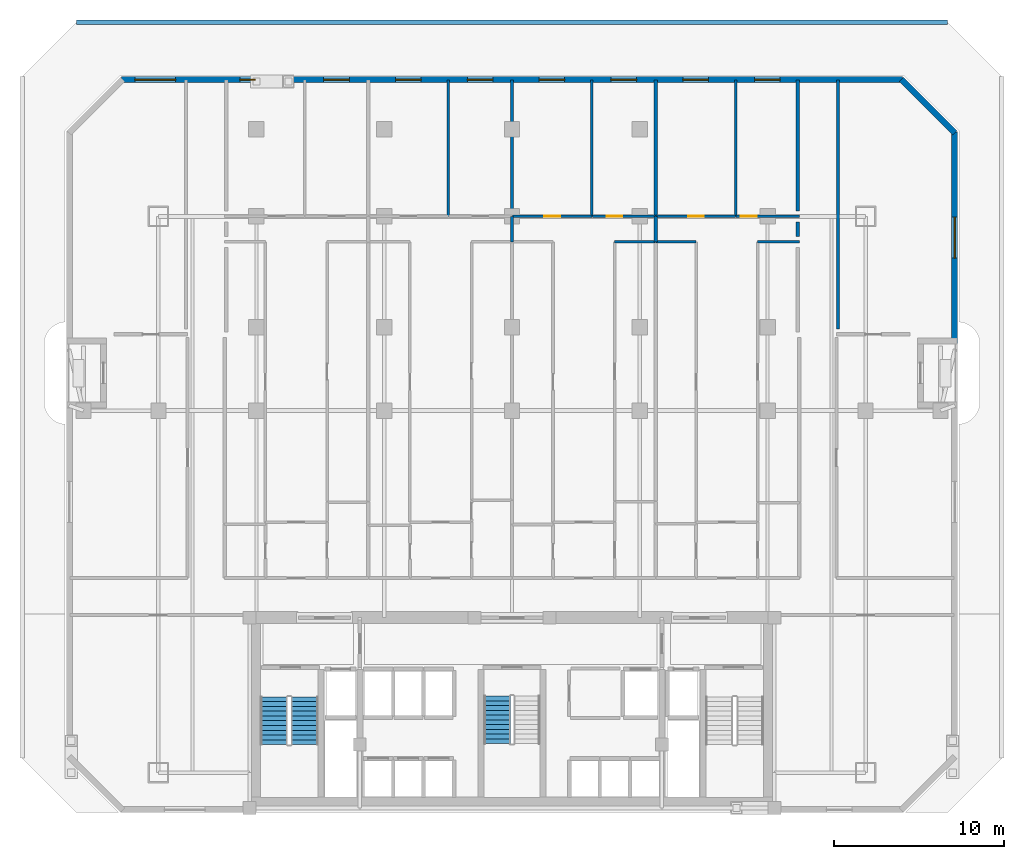
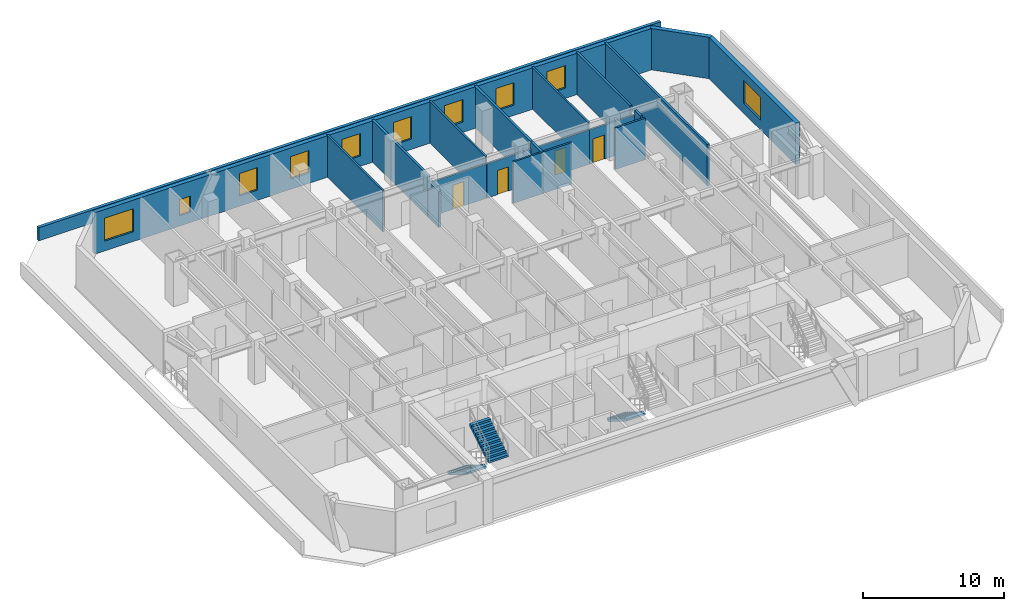
# One storey, part 7 of 10: 21 walls, 10 windows, 4 doors, 3 stair flights, 14 openings, 2 elements without a shape of their own.
"""IFC4 building model written with IfcOpenShell, lengths in metres."""

from ifc_helpers import new_model, si_unit, direction, frame, frame_2d, origin, place, context, subcontext, project, spatial, polyline, rectangle, outline, extrude, material, layer, layer_set, type_object, element, fill, aggregate, save


model = new_model("IFC4")

# Units and contexts
model_context = context("Model", 3, precision=1e-05, world=origin(), true_north=direction((0.0, 1.0)))
body_context = subcontext(model_context, "Body", "Model", "MODEL_VIEW")
ifc_project = project(units=[si_unit("LENGTHUNIT", "METRE"), si_unit("AREAUNIT", "SQUARE_METRE"), si_unit("VOLUMEUNIT", "CUBIC_METRE"), si_unit("PLANEANGLEUNIT", "RADIAN"), si_unit("MASSUNIT", "GRAM", prefix="KILO")], contexts=[model_context])

# Site, building, storey
site_placement = place(None, origin())
site = spatial("IfcSite", under=ifc_project, at=site_placement, CompositionType="ELEMENT")
building_placement = place(site_placement, origin())
building = spatial("IfcBuilding", under=site, at=building_placement, Name="Ventersveld Concourse Tower", CompositionType="ELEMENT")
storey_placement = place(building_placement, frame((0.0, 0.0, 92.60009765625)))
storey = spatial("IfcBuildingStorey", under=building, at=storey_placement, Name="L22", CompositionType="ELEMENT", Elevation=92.60009765625)

# Walls
ifc_material_1 = material(Name="Fire-rated autoclaved aerated masonry blockwork", Category="masonry")
ifc_layer_1 = layer(ifc_material_1, 0.179931640625)
ifc_layer_set_1 = layer_set([ifc_layer_1], Name="Fire-rated autoclaved aerated masonry blockwork")
wall_type_1 = type_object("IfcWallType", Name="WL-CORR-180", PredefinedType="PARTITIONING", material=ifc_layer_set_1)
wall_1_placement = place(storey_placement, frame((47.8798828125, 28.39501953125, 0.0), z_axis=(0.0, 0.0, 1.0), x_axis=(0.0, 1.0, 0.0)))
element("IfcWall", 1, at=wall_1_placement, inside=storey, type_object=wall_type_1, Name="L22 Room Enclosure Wall SP-L22-NELNG2", PredefinedType="PARTITIONING", context=body_context, shape_type="SweptSolid", body=[
    extrude(rectangle(XDim=14.594970703125, YDim=0.179931640625, at=frame_2d((7.29736328125, 0.0))), origin(), (0.0, 0.0, 1.0), 3.599853515625),
])
wall_2_placement = place(storey_placement, frame((45.52001953125, 34.675048828125, 0.0), z_axis=(0.0, 0.0, 1.0), x_axis=(0.0, -1.0, 0.0)))
element("IfcWall", 2, at=wall_2_placement, inside=storey, type_object=wall_type_1, Name="L22 Room Enclosure Wall SP-L22-22N4-LIV", PredefinedType="PARTITIONING", context=body_context, shape_type="SweptSolid", body=[
    extrude(rectangle(XDim=0.85009765625, YDim=0.179931640625, at=frame_2d((0.425048828125, 0.0))), origin(), (0.0, 0.0, 1.0), 3.599853515625),
])
wall_3_placement = place(storey_placement, frame((45.52001953125, 42.989990234375, 0.0), z_axis=(0.0, 0.0, 1.0), x_axis=(0.0, -1.0, 0.0)))
element("IfcWall", 3, at=wall_3_placement, inside=storey, type_object=wall_type_1, Name="L22 Room Enclosure Wall SP-L22-22N4-BR2", PredefinedType="PARTITIONING", context=body_context, shape_type="SweptSolid", body=[
    extrude(rectangle(XDim=7.6650390625, YDim=0.179931640625, at=frame_2d((3.83251953125, 0.0))), origin(), (0.0, 0.0, 1.0), 3.599853515625),
])
ifc_layer_2 = layer(ifc_material_1, 0.199951171875)
ifc_layer_set_2 = layer_set([ifc_layer_2], Name="Fire-rated autoclaved aerated masonry blockwork")
wall_type_2 = type_object("IfcWallType", Name="WL-DEMISE-200", PredefinedType="PARTITIONING", material=ifc_layer_set_2)
wall_4_placement = place(storey_placement, frame((28.75, 33.4951171875, 0.0), z_axis=(0.0, 0.0, 1.0), x_axis=(0.0, 1.0, 0.0)))
element("IfcWall", 4, at=wall_4_placement, inside=storey, type_object=wall_type_2, Name="L22 Interior Partition SP-L22-22N2-LIV-SP-L22-22N3-LIV", PredefinedType="PARTITIONING", context=body_context, shape_type="SweptSolid", body=[
    extrude(rectangle(XDim=1.509765625, YDim=0.199951171875, at=frame_2d((0.7548828125, 0.0))), origin(), (0.0, 0.0, 1.0), 3.146484375),
])
wall_5_placement = place(storey_placement, frame((28.75, 35.034912109375, 0.0), z_axis=(0.0, 0.0, 1.0), x_axis=(0.0, 1.0, 0.0)))
element("IfcWall", 5, at=wall_5_placement, inside=storey, type_object=wall_type_2, Name="L22 Interior Partition SP-L22-22N2-BR2-SP-L22-22N3-BR1", PredefinedType="PARTITIONING", context=body_context, shape_type="SweptSolid", body=[
    extrude(rectangle(XDim=7.955078125, YDim=0.199951171875, at=frame_2d((3.9775390625, 0.0))), origin(), (0.0, 0.0, 1.0), 3.599853515625),
])
wall_6_placement = place(storey_placement, frame((37.179931640625, 33.4951171875, 0.0), z_axis=(0.0, 0.0, 1.0), x_axis=(0.0, 1.0, 0.0)))
element("IfcWall", 6, at=wall_6_placement, inside=storey, type_object=wall_type_2, Name="L22 Interior Partition SP-L22-22N3-LIV-SP-L22-22N4-LIV", PredefinedType="PARTITIONING", context=body_context, shape_type="SweptSolid", body=[
    extrude(rectangle(XDim=1.509765625, YDim=0.199951171875, at=frame_2d((0.7548828125, 0.0))), origin(), (0.0, 0.0, 1.0), 3.599853515625),
])
wall_7_placement = place(storey_placement, frame((37.179931640625, 35.034912109375, 0.0), z_axis=(0.0, 0.0, 1.0), x_axis=(0.0, 1.0, 0.0)))
element("IfcWall", 7, at=wall_7_placement, inside=storey, type_object=wall_type_2, Name="L22 Interior Partition SP-L22-22N3-BR2-SP-L22-22N4-BR1", PredefinedType="PARTITIONING", context=body_context, shape_type="SweptSolid", body=[
    extrude(rectangle(XDim=7.955078125, YDim=0.199951171875, at=frame_2d((3.9775390625, 0.0))), origin(), (0.0, 0.0, 1.0), 3.599853515625),
])
ifc_material_2 = material(Name="Autoclaved aerated masonry blockwork", Category="masonry")
ifc_layer_3 = layer(ifc_material_2, 0.14990234375)
ifc_layer_set_3 = layer_set([ifc_layer_3], Name="Autoclaved aerated masonry blockwork")
wall_type_3 = type_object("IfcWallType", Name="WL-INT-150", PredefinedType="PARTITIONING", material=ifc_layer_set_3)
wall_8_placement = place(storey_placement, frame((25.009765625, 34.9951171875, 0.0), z_axis=(0.0, 0.0, 1.0), x_axis=(0.0, 1.0, 0.0)))
element("IfcWall", 8, at=wall_8_placement, inside=storey, type_object=wall_type_3, Name="L22 Interior Partition SP-L22-22N2-BR1-SP-L22-22N2-BR2", PredefinedType="PARTITIONING", context=body_context, shape_type="SweptSolid", body=[
    extrude(rectangle(XDim=7.994873046875, YDim=0.14990234375, at=frame_2d((3.99755859375, 0.0))), origin(), (0.0, 0.0, 1.0), 3.599853515625),
])
wall_9_placement = place(storey_placement, frame((34.767578125, 33.5, 0.0), z_axis=(0.0, 0.0, 1.0), x_axis=(1.0, 0.0, 0.0)))
element("IfcWall", 9, at=wall_9_placement, inside=storey, type_object=wall_type_3, Name="L22 Interior Partition SP-L22-22N3-LIV-SP-L22-22N3-DENR", PredefinedType="PARTITIONING", context=body_context, shape_type="SweptSolid", body=[
    extrude(rectangle(XDim=2.41748046875, YDim=0.14990234375, at=frame_2d((1.208740234375, 0.0))), origin(), (0.0, 0.0, 1.0), 3.599853515625),
])

# Wall, opening, door
wall_10_placement = place(storey_placement, frame((28.784912109375, 35.0, 0.0), z_axis=(0.0, 0.0, 1.0), x_axis=(1.0, 0.0, 0.0)))
wall_10 = element("IfcWall", 10, at=wall_10_placement, inside=storey, type_object=wall_type_3, Name="L22 Interior Partition SP-L22-22N3-LIV-SP-L22-22N3-BR1", PredefinedType="PARTITIONING", context=body_context, shape_type="SweptSolid", body=[
    extrude(rectangle(XDim=4.65966796875, YDim=0.14990234375, at=frame_2d((2.329833984375, 0.0))), origin(), (0.0, 0.0, 1.0), 2.982666015625),
])
opening_1_placement = place(wall_10_placement, frame((1.869873046875, 0.0, 0.0)))
opening_1 = element("IfcOpeningElement", 11, at=opening_1_placement, cuts=wall_10, Name="Opening ID1", PredefinedType="OPENING", context=body_context, shape_type="SweptSolid", body=[
    extrude(rectangle(XDim=0.919921875, YDim=2.10009765625, at=frame_2d((0.4599609375, 1.050048828125))), frame((0.0, 0.0849609375, 0.0), z_axis=(0.0, -1.0, 0.0), x_axis=(1.0, 0.0, 0.0)), (0.0, 0.0, 1.0), 0.169921875),
])
ifc_material_3 = material(Name="Solid-core hardwood veneer timber", Category="wood")
door_type = type_object("IfcDoorType", Name="DR-ROOM-092", OperationType="NOTDEFINED", PredefinedType="DOOR", material=ifc_material_3)
door_1_placement = place(opening_1_placement, origin())
door_1 = element("IfcDoor", 12, at=door_1_placement, inside=storey, type_object=door_type, Name="L22 Interior Door SP-L22-22N3-LIV to SP-L22-22N3-BR1 (D-L22-1098)", OperationType="SINGLE_SWING_RIGHT", OverallHeight=2.10009765625, OverallWidth=0.919921875, PredefinedType="DOOR", context=body_context, shape_type="SweptSolid", body=[
    extrude(rectangle(XDim=0.919921875, YDim=2.10009765625, at=frame_2d((0.4599609375, 1.050048828125))), frame((0.0, 0.02490234375, 0.0), z_axis=(0.0, -1.0, 0.0), x_axis=(1.0, 0.0, 0.0)), (0.0, 0.0, 1.0), 0.050048828125),
])
fill(opening_1, door_1)

wall_11_placement = place(storey_placement, frame((33.474609375, 35.0, 0.0), z_axis=(0.0, 0.0, 1.0), x_axis=(1.0, 0.0, 0.0)))
wall_11 = element("IfcWall", 13, at=wall_11_placement, inside=storey, type_object=wall_type_3, Name="L22 Interior Partition SP-L22-22N3-LIV-SP-L22-22N3-BR2", PredefinedType="PARTITIONING", context=body_context, shape_type="SweptSolid", body=[
    extrude(rectangle(XDim=3.71044921875, YDim=0.14990234375, at=frame_2d((1.855224609375, 0.0))), origin(), (0.0, 0.0, 1.0), 2.982666015625),
])
opening_2_placement = place(wall_11_placement, frame((0.838623046875, 0.0, 0.0)))
opening_2 = element("IfcOpeningElement", 14, at=opening_2_placement, cuts=wall_11, Name="Opening ID1", PredefinedType="OPENING", context=body_context, shape_type="SweptSolid", body=[
    extrude(rectangle(XDim=0.919921875, YDim=2.10009765625, at=frame_2d((0.4599609375, 1.050048828125))), frame((0.0, 0.0849609375, 0.0), z_axis=(0.0, -1.0, 0.0), x_axis=(1.0, 0.0, 0.0)), (0.0, 0.0, 1.0), 0.169921875),
])
door_2_placement = place(opening_2_placement, origin())
door_2 = element("IfcDoor", 15, at=door_2_placement, inside=storey, type_object=door_type, Name="L22 Interior Door SP-L22-22N3-LIV to SP-L22-22N3-BR2 (D-L22-1099)", OperationType="SINGLE_SWING_LEFT", OverallHeight=2.10009765625, OverallWidth=0.919921875, PredefinedType="DOOR", context=body_context, shape_type="SweptSolid", body=[
    extrude(rectangle(XDim=0.919921875, YDim=2.10009765625, at=frame_2d((0.4599609375, 1.050048828125))), frame((0.0, 0.02490234375, 0.0), z_axis=(0.0, -1.0, 0.0), x_axis=(1.0, 0.0, 0.0)), (0.0, 0.0, 1.0), 0.050048828125),
])
fill(opening_2, door_2)

# Walls
wall_12_placement = place(storey_placement, frame((33.439697265625, 34.9951171875, 0.0), z_axis=(0.0, 0.0, 1.0), x_axis=(0.0, 1.0, 0.0)))
element("IfcWall", 16, at=wall_12_placement, inside=storey, type_object=wall_type_3, Name="L22 Interior Partition SP-L22-22N3-BR1-SP-L22-22N3-BR2", PredefinedType="PARTITIONING", context=body_context, shape_type="SweptSolid", body=[
    extrude(rectangle(XDim=7.994873046875, YDim=0.14990234375, at=frame_2d((3.99755859375, 0.0))), origin(), (0.0, 0.0, 1.0), 3.599853515625),
])
wall_13_placement = place(storey_placement, frame((37.215087890625, 33.5, 0.0), z_axis=(0.0, 0.0, 1.0), x_axis=(1.0, 0.0, 0.0)))
element("IfcWall", 17, at=wall_13_placement, inside=storey, type_object=wall_type_3, Name="L22 Interior Partition SP-L22-22N4-LIV-SP-L22-22N4-DENL", PredefinedType="PARTITIONING", context=body_context, shape_type="SweptSolid", body=[
    extrude(rectangle(XDim=2.343017578125, YDim=0.14990234375, at=frame_2d((1.17138671875, 0.0))), origin(), (0.0, 0.0, 1.0), 3.599853515625),
])
wall_14_placement = place(storey_placement, frame((43.1630859375, 33.5, 0.0), z_axis=(0.0, 0.0, 1.0), x_axis=(1.0, 0.0, 0.0)))
element("IfcWall", 18, at=wall_14_placement, inside=storey, type_object=wall_type_3, Name="L22 Interior Partition SP-L22-22N4-LIV-SP-L22-22N4-DENR", PredefinedType="PARTITIONING", context=body_context, shape_type="SweptSolid", body=[
    extrude(rectangle(XDim=2.451904296875, YDim=0.14990234375, at=frame_2d((1.22607421875, 0.0))), origin(), (0.0, 0.0, 1.0), 3.599853515625),
])

# Wall, opening, door
wall_15_placement = place(storey_placement, frame((37.215087890625, 35.0, 0.0), z_axis=(0.0, 0.0, 1.0), x_axis=(1.0, 0.0, 0.0)))
wall_15 = element("IfcWall", 19, at=wall_15_placement, inside=storey, type_object=wall_type_3, Name="L22 Interior Partition SP-L22-22N4-LIV-SP-L22-22N4-BR1", PredefinedType="PARTITIONING", context=body_context, shape_type="SweptSolid", body=[
    extrude(rectangle(XDim=4.65966796875, YDim=0.14990234375, at=frame_2d((2.329833984375, 0.0))), origin(), (0.0, 0.0, 1.0), 2.982666015625),
])
opening_3_placement = place(wall_15_placement, frame((1.869873046875, 0.0, 0.0)))
opening_3 = element("IfcOpeningElement", 20, at=opening_3_placement, cuts=wall_15, Name="Opening ID1", PredefinedType="OPENING", context=body_context, shape_type="SweptSolid", body=[
    extrude(rectangle(XDim=0.919921875, YDim=2.10009765625, at=frame_2d((0.4599609375, 1.050048828125))), frame((0.0, 0.0849609375, 0.0), z_axis=(0.0, -1.0, 0.0), x_axis=(1.0, 0.0, 0.0)), (0.0, 0.0, 1.0), 0.169921875),
])
door_3_placement = place(opening_3_placement, origin())
door_3 = element("IfcDoor", 21, at=door_3_placement, inside=storey, type_object=door_type, Name="L22 Interior Door SP-L22-22N4-LIV to SP-L22-22N4-BR1 (D-L22-1105)", OperationType="SINGLE_SWING_LEFT", OverallHeight=2.10009765625, OverallWidth=0.919921875, PredefinedType="DOOR", context=body_context, shape_type="SweptSolid", body=[
    extrude(rectangle(XDim=0.919921875, YDim=2.10009765625, at=frame_2d((0.4599609375, 1.050048828125))), frame((0.0, 0.02490234375, 0.0), z_axis=(0.0, -1.0, 0.0), x_axis=(1.0, 0.0, 0.0)), (0.0, 0.0, 1.0), 0.050048828125),
])
fill(opening_3, door_3)

wall_16_placement = place(storey_placement, frame((41.90478515625, 35.0, 0.0), z_axis=(0.0, 0.0, 1.0), x_axis=(1.0, 0.0, 0.0)))
wall_16 = element("IfcWall", 22, at=wall_16_placement, inside=storey, type_object=wall_type_3, Name="L22 Interior Partition SP-L22-22N4-LIV-SP-L22-22N4-BR2", PredefinedType="PARTITIONING", context=body_context, shape_type="SweptSolid", body=[
    extrude(rectangle(XDim=3.710205078125, YDim=0.14990234375, at=frame_2d((1.85498046875, 0.0))), origin(), (0.0, 0.0, 1.0), 2.982666015625),
])
opening_4_placement = place(wall_16_placement, frame((0.281982421875, 0.0, 0.0)))
opening_4 = element("IfcOpeningElement", 23, at=opening_4_placement, cuts=wall_16, Name="Opening ID1", PredefinedType="OPENING", context=body_context, shape_type="SweptSolid", body=[
    extrude(rectangle(XDim=0.919921875, YDim=2.10009765625, at=frame_2d((0.4599609375, 1.050048828125))), frame((0.0, 0.0849609375, 0.0), z_axis=(0.0, -1.0, 0.0), x_axis=(1.0, 0.0, 0.0)), (0.0, 0.0, 1.0), 0.169921875),
])
door_4_placement = place(opening_4_placement, origin())
door_4 = element("IfcDoor", 24, at=door_4_placement, inside=storey, type_object=door_type, Name="L22 Interior Door SP-L22-22N4-LIV to SP-L22-22N4-BR2 (D-L22-1106)", OperationType="SINGLE_SWING_RIGHT", OverallHeight=2.10009765625, OverallWidth=0.919921875, PredefinedType="DOOR", context=body_context, shape_type="SweptSolid", body=[
    extrude(rectangle(XDim=0.919921875, YDim=2.10009765625, at=frame_2d((0.4599609375, 1.050048828125))), frame((0.0, 0.02490234375, 0.0), z_axis=(0.0, -1.0, 0.0), x_axis=(1.0, 0.0, 0.0)), (0.0, 0.0, 1.0), 0.050048828125),
])
fill(opening_4, door_4)

# Walls
wall_17_placement = place(storey_placement, frame((41.86962890625, 34.9951171875, 0.0), z_axis=(0.0, 0.0, 1.0), x_axis=(0.0, 1.0, 0.0)))
element("IfcWall", 25, at=wall_17_placement, inside=storey, type_object=wall_type_3, Name="L22 Interior Partition SP-L22-22N4-BR1-SP-L22-22N4-BR2", PredefinedType="PARTITIONING", context=body_context, shape_type="SweptSolid", body=[
    extrude(rectangle(XDim=7.994873046875, YDim=0.14990234375, at=frame_2d((3.99755859375, 0.0))), origin(), (0.0, 0.0, 1.0), 3.599853515625),
])
ifc_material_4 = material(Name="Precast concrete C45/55", Category="concrete")
ifc_layer_4 = layer(ifc_material_4, 0.25)
ifc_layer_set_4 = layer_set([ifc_layer_4], Name="Precast concrete C45/55")
wall_type_4 = type_object("IfcWallType", Name="WL-PARA-250", PredefinedType="PARAPET", material=ifc_layer_set_4)
wall_18_placement = place(storey_placement, frame((54.300048828125, 46.39990234375, 0.0), z_axis=(0.0, 0.0, 1.0), x_axis=(-1.0, 0.0, 0.0)))
element("IfcWall", 26, at=wall_18_placement, inside=storey, type_object=wall_type_4, Name="L22 Setback Roof Parapet Wall 3", PredefinedType="PARAPET", context=body_context, shape_type="SweptSolid", body=[
    extrude(rectangle(XDim=51.10009765625, YDim=0.25, at=frame_2d((25.550048828125, 0.0))), origin(), (0.0, 0.0, 1.0), 1.14990234375),
])

# Wall, opening, window
ifc_layer_5 = layer(ifc_material_4, 0.35009765625)
ifc_layer_set_5 = layer_set([ifc_layer_5], Name="Precast concrete C45/55")
wall_type_5 = type_object("IfcWallType", Name="WL-PREC-350", PredefinedType="SOLIDWALL", material=ifc_layer_set_5)
wall_19_placement = place(storey_placement, frame((54.72509765625, 27.5400390625, 0.0), z_axis=(0.0, 0.0, 1.0), x_axis=(0.0, 1.0, 0.0)))
wall_19 = element("IfcWall", 27, at=wall_19_placement, inside=storey, type_object=wall_type_5, Name="L22 Highveld Precast Facade Wall E07", PredefinedType="SOLIDWALL", context=body_context, shape_type="SweptSolid", body=[
    extrude(rectangle(XDim=12.419921875, YDim=0.35009765625, at=frame_2d((6.2099609375, 0.0))), origin(), (0.0, 0.0, 1.0), 3.599853515625),
])
opening_5_placement = place(wall_19_placement, frame((5.010009765625, 0.0, 0.85009765625)))
opening_5 = element("IfcOpeningElement", 28, at=opening_5_placement, cuts=wall_19, Name="Opening W5", PredefinedType="OPENING", context=body_context, shape_type="SweptSolid", body=[
    extrude(rectangle(XDim=2.39990234375, YDim=2.0, at=frame_2d((1.199951171875, 1.0))), frame((0.0, 0.18505859375, 0.0), z_axis=(0.0, -1.0, 0.0), x_axis=(1.0, 0.0, 0.0)), (0.0, 0.0, 1.0), 0.3701171875),
])
ifc_material_5 = material(Name="Tempered acoustic Low-E IGU", Category="glass")
window_type_1 = type_object("IfcWindowType", Name="WIN-240x210", PartitioningType="SINGLE_PANEL", PredefinedType="WINDOW", material=ifc_material_5)
window_1_placement = place(opening_5_placement, origin())
window_1 = element("IfcWindow", 29, at=window_1_placement, inside=storey, type_object=window_type_1, Name="L22 Punched Low-E Window W-0246", OverallHeight=2.0, OverallWidth=2.39990234375, PartitioningType="SINGLE_PANEL", PredefinedType="WINDOW", context=body_context, shape_type="SweptSolid", body=[
    extrude(rectangle(XDim=2.39990234375, YDim=2.0, at=frame_2d((1.199951171875, 1.0))), frame((0.0, 0.030029296875, 0.0), z_axis=(0.0, -1.0, 0.0), x_axis=(1.0, 0.0, 0.0)), (0.0, 0.0, 1.0), 0.06005859375),
])
fill(opening_5, window_1)

# Wall
wall_20_placement = place(storey_placement, frame((54.748046875, 39.904541015625, 0.0), z_axis=(0.0, 0.0, 1.0), x_axis=(-0.707106781187, 0.707106781187, 0.0)))
element("IfcWall", 30, at=wall_20_placement, inside=storey, type_object=wall_type_5, Name="L22 Highveld Precast Facade Wall E08", PredefinedType="SOLIDWALL", context=body_context, shape_type="SweptSolid", body=[
    extrude(rectangle(XDim=4.445556640625, YDim=0.35009765625, at=frame_2d((2.22265625, 0.0))), origin(), (0.0, 0.0, 1.0), 3.599853515625),
])

# Wall, openings, windows
wall_21_placement = place(storey_placement, frame((51.659912109375, 43.02490234375, 0.0), z_axis=(0.0, 0.0, 1.0), x_axis=(-1.0, 0.0, 0.0)))
wall_21 = element("IfcWall", 31, at=wall_21_placement, inside=storey, type_object=wall_type_5, Name="L22 Highveld Precast Facade Wall E09", PredefinedType="SOLIDWALL", context=body_context, shape_type="SweptSolid", body=[
    extrude(rectangle(XDim=45.81982421875, YDim=0.35009765625, at=frame_2d((22.909912109375, 0.0))), origin(), (0.0, 0.0, 1.0), 3.599853515625),
])
opening_6_placement = place(wall_21_placement, frame((42.64990234375, 0.0, 0.85009765625)))
opening_6 = element("IfcOpeningElement", 32, at=opening_6_placement, cuts=wall_21, Name="Opening W5", PredefinedType="OPENING", context=body_context, shape_type="SweptSolid", body=[
    extrude(rectangle(XDim=2.39990234375, YDim=2.0, at=frame_2d((1.199951171875, 1.0))), frame((0.0, 0.18505859375, 0.0), z_axis=(0.0, -1.0, 0.0), x_axis=(1.0, 0.0, 0.0)), (0.0, 0.0, 1.0), 0.3701171875),
])
opening_7_placement = place(wall_21_placement, frame((37.983642578125, 0.0, 0.89990234375)))
opening_7 = element("IfcOpeningElement", 33, at=opening_7_placement, cuts=wall_21, Name="Opening W8", PredefinedType="OPENING", context=body_context, shape_type="SweptSolid", body=[
    extrude(rectangle(XDim=0.89990234375, YDim=1.39990234375, at=frame_2d((0.449951171875, 0.699951171875))), frame((0.0, 0.18505859375, 0.0), z_axis=(0.0, -1.0, 0.0), x_axis=(1.0, 0.0, 0.0)), (0.0, 0.0, 1.0), 0.3701171875),
])
opening_8_placement = place(wall_21_placement, frame((32.460205078125, 0.0, 0.89990234375)))
opening_8 = element("IfcOpeningElement", 34, at=opening_8_placement, cuts=wall_21, Name="Opening W1", PredefinedType="OPENING", context=body_context, shape_type="SweptSolid", body=[
    extrude(rectangle(XDim=1.5, YDim=1.949951171875, at=frame_2d((0.75, 0.97509765625))), frame((0.0, 0.18505859375, 0.0), z_axis=(0.0, -1.0, 0.0), x_axis=(1.0, 0.0, 0.0)), (0.0, 0.0, 1.0), 0.3701171875),
])
opening_9_placement = place(wall_21_placement, frame((28.2451171875, 0.0, 0.89990234375)))
opening_9 = element("IfcOpeningElement", 35, at=opening_9_placement, cuts=wall_21, Name="Opening W1", PredefinedType="OPENING", context=body_context, shape_type="SweptSolid", body=[
    extrude(rectangle(XDim=1.5, YDim=1.949951171875, at=frame_2d((0.75, 0.97509765625))), frame((0.0, 0.18505859375, 0.0), z_axis=(0.0, -1.0, 0.0), x_axis=(1.0, 0.0, 0.0)), (0.0, 0.0, 1.0), 0.3701171875),
])
opening_10_placement = place(wall_21_placement, frame((24.030029296875, 0.0, 0.89990234375)))
opening_10 = element("IfcOpeningElement", 36, at=opening_10_placement, cuts=wall_21, Name="Opening W1", PredefinedType="OPENING", context=body_context, shape_type="SweptSolid", body=[
    extrude(rectangle(XDim=1.5, YDim=1.949951171875, at=frame_2d((0.75, 0.97509765625))), frame((0.0, 0.18505859375, 0.0), z_axis=(0.0, -1.0, 0.0), x_axis=(1.0, 0.0, 0.0)), (0.0, 0.0, 1.0), 0.3701171875),
])
opening_11_placement = place(wall_21_placement, frame((19.815185546875, 0.0, 0.89990234375)))
opening_11 = element("IfcOpeningElement", 37, at=opening_11_placement, cuts=wall_21, Name="Opening W1", PredefinedType="OPENING", context=body_context, shape_type="SweptSolid", body=[
    extrude(rectangle(XDim=1.5, YDim=1.949951171875, at=frame_2d((0.75, 0.97509765625))), frame((0.0, 0.18505859375, 0.0), z_axis=(0.0, -1.0, 0.0), x_axis=(1.0, 0.0, 0.0)), (0.0, 0.0, 1.0), 0.3701171875),
])
opening_12_placement = place(wall_21_placement, frame((15.60009765625, 0.0, 0.89990234375)))
opening_12 = element("IfcOpeningElement", 38, at=opening_12_placement, cuts=wall_21, Name="Opening W1", PredefinedType="OPENING", context=body_context, shape_type="SweptSolid", body=[
    extrude(rectangle(XDim=1.5, YDim=1.949951171875, at=frame_2d((0.75, 0.97509765625))), frame((0.0, 0.18505859375, 0.0), z_axis=(0.0, -1.0, 0.0), x_axis=(1.0, 0.0, 0.0)), (0.0, 0.0, 1.0), 0.3701171875),
])
opening_13_placement = place(wall_21_placement, frame((11.385009765625, 0.0, 0.89990234375)))
opening_13 = element("IfcOpeningElement", 39, at=opening_13_placement, cuts=wall_21, Name="Opening W1", PredefinedType="OPENING", context=body_context, shape_type="SweptSolid", body=[
    extrude(rectangle(XDim=1.5, YDim=1.949951171875, at=frame_2d((0.75, 0.97509765625))), frame((0.0, 0.18505859375, 0.0), z_axis=(0.0, -1.0, 0.0), x_axis=(1.0, 0.0, 0.0)), (0.0, 0.0, 1.0), 0.3701171875),
])
opening_14_placement = place(wall_21_placement, frame((7.170166015625, 0.0, 0.89990234375)))
opening_14 = element("IfcOpeningElement", 40, at=opening_14_placement, cuts=wall_21, Name="Opening W1", PredefinedType="OPENING", context=body_context, shape_type="SweptSolid", body=[
    extrude(rectangle(XDim=1.5, YDim=1.949951171875, at=frame_2d((0.75, 0.97509765625))), frame((0.0, 0.18505859375, 0.0), z_axis=(0.0, -1.0, 0.0), x_axis=(1.0, 0.0, 0.0)), (0.0, 0.0, 1.0), 0.3701171875),
])
window_type_2 = type_object("IfcWindowType", Name="WIN-090x140", PartitioningType="SINGLE_PANEL", PredefinedType="WINDOW", material=ifc_material_5)
window_2_placement = place(opening_7_placement, origin())
window_2 = element("IfcWindow", 41, at=window_2_placement, inside=storey, type_object=window_type_2, Name="L22 Punched Low-E Window W-0247", OverallHeight=1.39990234375, OverallWidth=0.89990234375, PartitioningType="SINGLE_PANEL", PredefinedType="WINDOW", context=body_context, shape_type="SweptSolid", body=[
    extrude(rectangle(XDim=0.89990234375, YDim=1.39990234375, at=frame_2d((0.449951171875, 0.699951171875))), frame((0.0, 0.030029296875, 0.0), z_axis=(0.0, -1.0, 0.0), x_axis=(1.0, 0.0, 0.0)), (0.0, 0.0, 1.0), 0.06005859375),
])
fill(opening_7, window_2)
window_type_3 = type_object("IfcWindowType", Name="WIN-150x210", PartitioningType="SINGLE_PANEL", PredefinedType="WINDOW", material=ifc_material_5)
window_3_placement = place(opening_8_placement, origin())
window_3 = element("IfcWindow", 42, at=window_3_placement, inside=storey, type_object=window_type_3, Name="L22 Punched Low-E Window W-0248", OverallHeight=1.949951171875, OverallWidth=1.5, PartitioningType="SINGLE_PANEL", PredefinedType="WINDOW", context=body_context, shape_type="SweptSolid", body=[
    extrude(rectangle(XDim=1.5, YDim=1.949951171875, at=frame_2d((0.75, 0.97509765625))), frame((0.0, 0.030029296875, 0.0), z_axis=(0.0, -1.0, 0.0), x_axis=(1.0, 0.0, 0.0)), (0.0, 0.0, 1.0), 0.06005859375),
])
fill(opening_8, window_3)
window_4_placement = place(opening_9_placement, origin())
window_4 = element("IfcWindow", 43, at=window_4_placement, inside=storey, type_object=window_type_3, Name="L22 Punched Low-E Window W-0249", OverallHeight=1.949951171875, OverallWidth=1.5, PartitioningType="SINGLE_PANEL", PredefinedType="WINDOW", context=body_context, shape_type="SweptSolid", body=[
    extrude(rectangle(XDim=1.5, YDim=1.949951171875, at=frame_2d((0.75, 0.97509765625))), frame((0.0, 0.030029296875, 0.0), z_axis=(0.0, -1.0, 0.0), x_axis=(1.0, 0.0, 0.0)), (0.0, 0.0, 1.0), 0.06005859375),
])
fill(opening_9, window_4)
window_5_placement = place(opening_10_placement, origin())
window_5 = element("IfcWindow", 44, at=window_5_placement, inside=storey, type_object=window_type_3, Name="L22 Punched Low-E Window W-0250", OverallHeight=1.949951171875, OverallWidth=1.5, PartitioningType="SINGLE_PANEL", PredefinedType="WINDOW", context=body_context, shape_type="SweptSolid", body=[
    extrude(rectangle(XDim=1.5, YDim=1.949951171875, at=frame_2d((0.75, 0.97509765625))), frame((0.0, 0.030029296875, 0.0), z_axis=(0.0, -1.0, 0.0), x_axis=(1.0, 0.0, 0.0)), (0.0, 0.0, 1.0), 0.06005859375),
])
fill(opening_10, window_5)
window_6_placement = place(opening_11_placement, origin())
window_6 = element("IfcWindow", 45, at=window_6_placement, inside=storey, type_object=window_type_3, Name="L22 Punched Low-E Window W-0251", OverallHeight=1.949951171875, OverallWidth=1.5, PartitioningType="SINGLE_PANEL", PredefinedType="WINDOW", context=body_context, shape_type="SweptSolid", body=[
    extrude(rectangle(XDim=1.5, YDim=1.949951171875, at=frame_2d((0.75, 0.97509765625))), frame((0.0, 0.030029296875, 0.0), z_axis=(0.0, -1.0, 0.0), x_axis=(1.0, 0.0, 0.0)), (0.0, 0.0, 1.0), 0.06005859375),
])
fill(opening_11, window_6)
window_7_placement = place(opening_12_placement, origin())
window_7 = element("IfcWindow", 46, at=window_7_placement, inside=storey, type_object=window_type_3, Name="L22 Punched Low-E Window W-0252", OverallHeight=1.949951171875, OverallWidth=1.5, PartitioningType="SINGLE_PANEL", PredefinedType="WINDOW", context=body_context, shape_type="SweptSolid", body=[
    extrude(rectangle(XDim=1.5, YDim=1.949951171875, at=frame_2d((0.75, 0.97509765625))), frame((0.0, 0.030029296875, 0.0), z_axis=(0.0, -1.0, 0.0), x_axis=(1.0, 0.0, 0.0)), (0.0, 0.0, 1.0), 0.06005859375),
])
fill(opening_12, window_7)
window_8_placement = place(opening_13_placement, origin())
window_8 = element("IfcWindow", 47, at=window_8_placement, inside=storey, type_object=window_type_3, Name="L22 Punched Low-E Window W-0253", OverallHeight=1.949951171875, OverallWidth=1.5, PartitioningType="SINGLE_PANEL", PredefinedType="WINDOW", context=body_context, shape_type="SweptSolid", body=[
    extrude(rectangle(XDim=1.5, YDim=1.949951171875, at=frame_2d((0.75, 0.97509765625))), frame((0.0, 0.030029296875, 0.0), z_axis=(0.0, -1.0, 0.0), x_axis=(1.0, 0.0, 0.0)), (0.0, 0.0, 1.0), 0.06005859375),
])
fill(opening_13, window_8)
window_9_placement = place(opening_14_placement, origin())
window_9 = element("IfcWindow", 48, at=window_9_placement, inside=storey, type_object=window_type_3, Name="L22 Punched Low-E Window W-0254", OverallHeight=1.949951171875, OverallWidth=1.5, PartitioningType="SINGLE_PANEL", PredefinedType="WINDOW", context=body_context, shape_type="SweptSolid", body=[
    extrude(rectangle(XDim=1.5, YDim=1.949951171875, at=frame_2d((0.75, 0.97509765625))), frame((0.0, 0.030029296875, 0.0), z_axis=(0.0, -1.0, 0.0), x_axis=(1.0, 0.0, 0.0)), (0.0, 0.0, 1.0), 0.06005859375),
])
fill(opening_14, window_9)
window_10_placement = place(opening_6_placement, origin())
window_10 = element("IfcWindow", 49, at=window_10_placement, inside=storey, type_object=window_type_1, Name="L22 Punched Low-E Window W-0244", OverallHeight=2.0, OverallWidth=2.39990234375, PartitioningType="SINGLE_PANEL", PredefinedType="WINDOW", context=body_context, shape_type="SweptSolid", body=[
    extrude(rectangle(XDim=2.39990234375, YDim=2.0, at=frame_2d((1.199951171875, 1.0))), frame((0.0, 0.030029296875, 0.0), z_axis=(0.0, -1.0, 0.0), x_axis=(1.0, 0.0, 0.0)), (0.0, 0.0, 1.0), 0.06005859375),
])
fill(opening_6, window_10)

# Stair, stair flight
ifc_material_6 = material(Name="Concrete C50/60", Category="concrete")
stair_type_1 = type_object("IfcStairType", Name="ST-DOG-155", PredefinedType="HALF_TURN_STAIR", material=ifc_material_6)
stair_1_placement = place(storey_placement, origin())
stair_1 = element("IfcStair", 50, at=stair_1_placement, inside=storey, type_object=stair_type_1, Name="L22 Protected Central Core Escape Stair ST-03", PredefinedType="HALF_TURN_STAIR")
stair_flight_type_1 = type_object("IfcStairFlightType", Name="STF-RC-155", PredefinedType="STRAIGHT", material=ifc_material_6)
stair_flight_1_placement = place(storey_placement, frame((27.875, 6.85009765625, 0.0), z_axis=(0.0, 0.0, 1.0), x_axis=(0.0, -1.0, 0.0)))
stair_flight_1 = element("IfcStairFlight", 51, at=stair_flight_1_placement, type_object=stair_flight_type_1, Name="ST-03 flight 1", NumberOfRisers=11, NumberOfTreads=10, PredefinedType="STRAIGHT", RiserHeight=0.175, TreadLength=0.28, context=body_context, shape_type="SweptSolid", body=[
    extrude(outline(polyline([(0.0, 0.0), (0.0, 0.175048828125), (0.280029296875, 0.175048828125), (0.280029296875, 0.35009765625), (0.56005859375, 0.35009765625), (0.56005859375, 0.52490234375), (0.840087890625, 0.52490234375), (0.840087890625, 0.699951171875), (1.1201171875, 0.699951171875), (1.1201171875, 0.875), (1.39990234375, 0.875), (1.39990234375, 1.050048828125), (1.679931640625, 1.050048828125), (1.679931640625, 1.22509765625), (1.9599609375, 1.22509765625), (1.9599609375, 1.39990234375), (2.239990234375, 1.39990234375), (2.239990234375, 1.574951171875), (2.52001953125, 1.574951171875), (2.52001953125, 1.75), (2.800048828125, 1.75), (2.800048828125, 1.925048828125), (2.800048828125, 1.5732421875), (0.28271484375, 0.0), (0.0, 0.0)])), frame((0.0, 0.77490234375, 0.0), z_axis=(0.0, -1.0, 0.0), x_axis=(1.0, 0.0, 0.0)), (0.0, 0.0, 1.0), 1.550048828125),
])
aggregate(stair_1, [stair_flight_1])

# Stair, stair flights
stair_type_2 = type_object("IfcStairType", Name="ST-DOG-160", PredefinedType="HALF_TURN_STAIR", material=ifc_material_6)
stair_2_placement = place(storey_placement, origin())
stair_2 = element("IfcStair", 52, at=stair_2_placement, inside=storey, type_object=stair_type_2, Name="L22 Protected Tower Escape Stair ST-01", PredefinedType="HALF_TURN_STAIR")
stair_flight_type_2 = type_object("IfcStairFlightType", Name="STF-RC-160", PredefinedType="STRAIGHT", material=ifc_material_6)
stair_flight_2_placement = place(storey_placement, frame((14.780029296875, 6.800048828125, 0.0), z_axis=(0.0, 0.0, 1.0), x_axis=(0.0, -1.0, 0.0)))
stair_flight_2 = element("IfcStairFlight", 53, at=stair_flight_2_placement, type_object=stair_flight_type_2, Name="ST-01 flight 1", NumberOfRisers=11, NumberOfTreads=10, PredefinedType="STRAIGHT", RiserHeight=0.175, TreadLength=0.28, context=body_context, shape_type="SweptSolid", body=[
    extrude(outline(polyline([(0.0, 0.0), (0.0, 0.175048828125), (0.280029296875, 0.175048828125), (0.280029296875, 0.35009765625), (0.56005859375, 0.35009765625), (0.56005859375, 0.52490234375), (0.840087890625, 0.52490234375), (0.840087890625, 0.699951171875), (1.1201171875, 0.699951171875), (1.1201171875, 0.875), (1.39990234375, 0.875), (1.39990234375, 1.050048828125), (1.679931640625, 1.050048828125), (1.679931640625, 1.22509765625), (1.9599609375, 1.22509765625), (1.9599609375, 1.39990234375), (2.239990234375, 1.39990234375), (2.239990234375, 1.574951171875), (2.52001953125, 1.574951171875), (2.52001953125, 1.75), (2.800048828125, 1.75), (2.800048828125, 1.925048828125), (2.800048828125, 1.5732421875), (0.28271484375, 0.0), (0.0, 0.0)])), frame((0.0, 0.800048828125, 0.0), z_axis=(0.0, -1.0, 0.0), x_axis=(1.0, 0.0, 0.0)), (0.0, 0.0, 1.0), 1.60009765625),
])
stair_flight_3_placement = place(storey_placement, frame((16.580078125, 4.0, 1.9248046875), z_axis=(0.0, 0.0, 1.0), x_axis=(0.0, 1.0, 0.0)))
stair_flight_3 = element("IfcStairFlight", 54, at=stair_flight_3_placement, type_object=stair_flight_type_2, Name="ST-01 flight 2", NumberOfRisers=11, NumberOfTreads=10, PredefinedType="STRAIGHT", RiserHeight=0.175, TreadLength=0.28, context=body_context, shape_type="SweptSolid", body=[
    extrude(outline(polyline([(0.0, 0.0), (0.0, 0.175048828125), (0.280029296875, 0.175048828125), (0.280029296875, 0.35009765625), (0.56005859375, 0.35009765625), (0.56005859375, 0.52490234375), (0.840087890625, 0.52490234375), (0.840087890625, 0.699951171875), (1.1201171875, 0.699951171875), (1.1201171875, 0.875), (1.39990234375, 0.875), (1.39990234375, 1.050048828125), (1.679931640625, 1.050048828125), (1.679931640625, 1.22509765625), (1.9599609375, 1.22509765625), (1.9599609375, 1.39990234375), (2.239990234375, 1.39990234375), (2.239990234375, 1.574951171875), (2.52001953125, 1.574951171875), (2.52001953125, 1.75), (2.800048828125, 1.75), (2.800048828125, 1.925048828125), (2.800048828125, 1.5732421875), (0.28271484375, 0.0), (0.0, 0.0)])), frame((0.0, 0.800048828125, 0.0), z_axis=(0.0, -1.0, 0.0), x_axis=(1.0, 0.0, 0.0)), (0.0, 0.0, 1.0), 1.60009765625),
])
aggregate(stair_2, [stair_flight_2, stair_flight_3])

save(model, "model.ifc")
